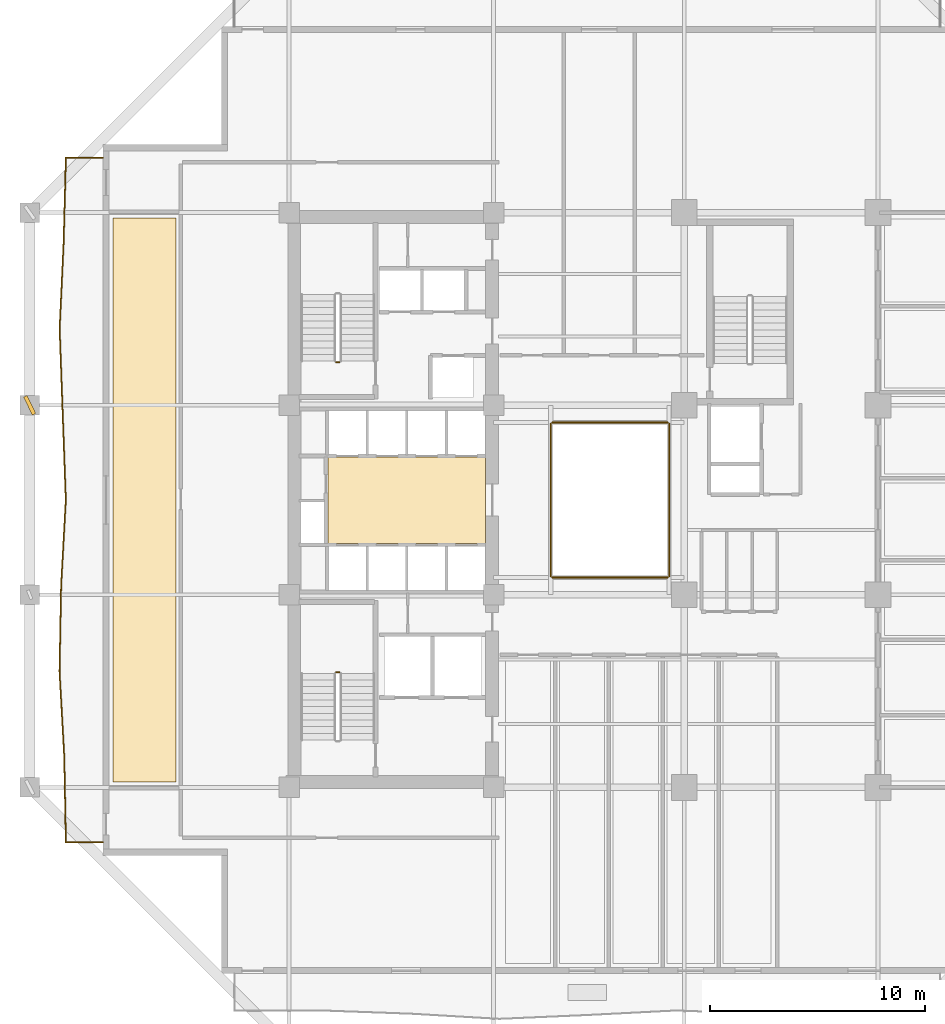
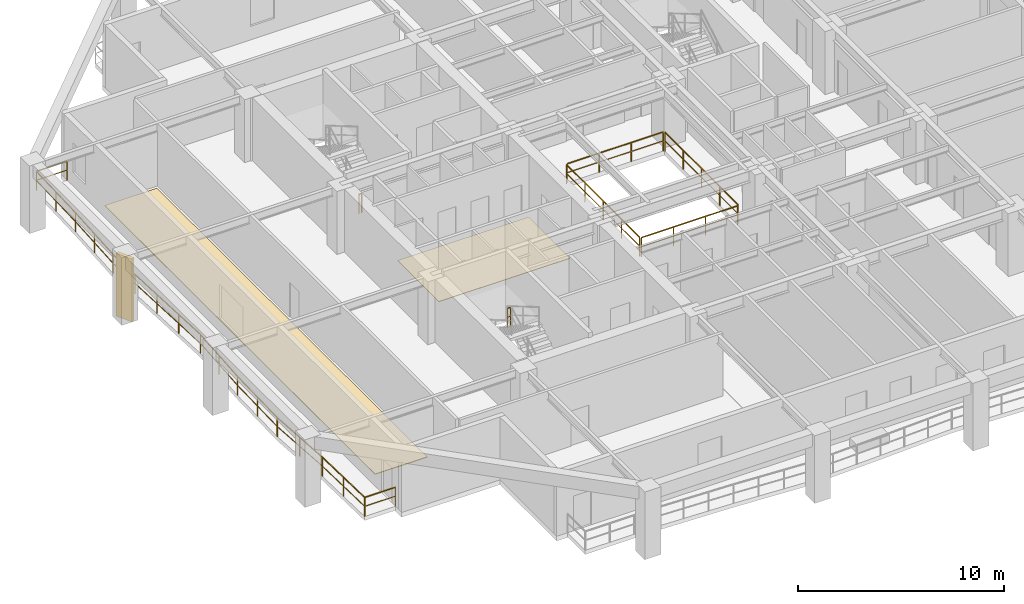
# One storey, part 9 of 13: 7 railings, 2 coverings, 1 shading device.
"""IFC4 building model written with IfcOpenShell, lengths in metres."""

from ifc_helpers import new_model, si_unit, direction, frame, origin, origin_2d, place, context, subcontext, project, spatial, polyline, rectangle, outline, extrude, material, layer, layer_set, type_object, element, save


model = new_model("IFC4")

# Units and contexts
model_context = context("Model", 3, precision=1e-05, world=origin(), true_north=direction((0.0, 1.0)))
body_context = subcontext(model_context, "Body", "Model", "MODEL_VIEW")
ifc_project = project(units=[si_unit("LENGTHUNIT", "METRE"), si_unit("AREAUNIT", "SQUARE_METRE"), si_unit("VOLUMEUNIT", "CUBIC_METRE"), si_unit("PLANEANGLEUNIT", "RADIAN"), si_unit("MASSUNIT", "GRAM", prefix="KILO")], contexts=[model_context])

# Site, building, storey
site_placement = place(None, origin())
site = spatial("IfcSite", under=ifc_project, at=site_placement, CompositionType="ELEMENT")
building_placement = place(site_placement, origin())
building = spatial("IfcBuilding", under=site, at=building_placement, Name="Kundavana Baori Tower", CompositionType="ELEMENT")
storey_placement = place(building_placement, frame((0.0, 0.0, 62.0)))
storey = spatial("IfcBuildingStorey", under=building, at=storey_placement, Name="L14", CompositionType="ELEMENT", Elevation=62.0)

# Coverings
ifc_material_1 = material(Name="Honed Kota Stone and Terrazzo Flooring", Category="masonry")
ifc_layer_1 = layer(ifc_material_1, 0.0400390625, Name="COV-FLR-TERR-40")
ifc_layer_set_1 = layer_set([ifc_layer_1], Name="Honed Kota Stone and Terrazzo Flooring")
covering_type_1 = type_object("IfcCoveringType", Name="COV-FLR-TERR-40", PredefinedType="FLOORING", material=ifc_layer_set_1)
covering_1_placement = place(storey_placement, origin())
element("IfcCovering", 1, at=covering_1_placement, inside=storey, type_object=covering_type_1, Name="L14 Room Finished Stone Flooring 1", PredefinedType="FLOORING", context=body_context, shape_type="SweptSolid", body=[
    extrude(outline(polyline([(7.280029296875, 15.5), (10.199951171875, 15.5), (10.199951171875, 41.699951171875), (7.280029296875, 41.699951171875), (7.280029296875, 15.5)])), origin(), (0.0, 0.0, 1.0), 0.0400390625),
])
ifc_material_2 = material(Name="Honed Kota Stone and Terrazzo Flooring", Category="masonry")
ifc_layer_2 = layer(ifc_material_2, 0.030029296875, Name="COV-INT-FLR")
ifc_layer_set_2 = layer_set([ifc_layer_2], Name="Honed Kota Stone and Terrazzo Flooring")
covering_type_2 = type_object("IfcCoveringType", Name="COV-INT-FLR", PredefinedType="FLOORING", material=ifc_layer_set_2)
covering_2_placement = place(storey_placement, origin())
element("IfcCovering", 2, at=covering_2_placement, inside=storey, type_object=covering_type_2, Name="L14 Core Lift Lobby Kota Stone Flooring", PredefinedType="FLOORING", context=body_context, shape_type="SweptSolid", body=[
    extrude(outline(polyline([(17.25, 26.580078125), (24.580078125, 26.580078125), (24.580078125, 30.60009765625), (17.25, 30.60009765625), (17.25, 26.580078125)])), origin(), (0.0, 0.0, 1.0), 0.030029296875),
])

# Railings
ifc_material_3 = material(Name="Architectural Patinated Bronze Metalwork")
railing_type_1 = type_object("IfcRailingType", Name="RL-BAL-1150", PredefinedType="BALUSTRADE", material=ifc_material_3)
railing_1_placement = place(storey_placement, frame((6.800048828125, 12.699951171875, 0.0)))
element("IfcRailing", 3, at=railing_1_placement, inside=storey, type_object=railing_type_1, Name="L14 Loggia Balcony Balustrade W", PredefinedType="BALUSTRADE", context=body_context, shape_type="SweptSolid", body=[
    extrude(rectangle(XDim=0.048095703125, YDim=0.048095703125, at=origin_2d()), frame((0.0, 0.0, 1.1259765625), z_axis=(-1.0, 0.0, 0.0), x_axis=(0.0, -1.0, 0.0)), (0.0, 0.0, 1.0), 1.719970703125),
    extrude(rectangle(XDim=0.03125, YDim=0.03125, at=origin_2d()), frame((0.0, 0.0, 0.597900390625), z_axis=(-1.0, 0.0, 0.0), x_axis=(0.0, -1.0, 0.0)), (0.0, 0.0, 1.0), 1.719970703125),
    extrude(rectangle(XDim=0.048095703125, YDim=0.048095703125, at=origin_2d()), frame((-1.719970703125, 0.0, 1.1259765625), z_axis=(-0.019404281002, 0.999811719215, 0.0), x_axis=(-0.999811719215, -0.019404281002, 0.0)), (0.0, 0.0, 1.0), 3.975830078125),
    extrude(rectangle(XDim=0.03125, YDim=0.03125, at=origin_2d()), frame((-1.719970703125, 0.0, 0.597900390625), z_axis=(-0.019404281002, 0.999811719215, 0.0), x_axis=(-0.999811719215, -0.019404281002, 0.0)), (0.0, 0.0, 1.0), 3.975830078125),
    extrude(rectangle(XDim=0.048095703125, YDim=0.048095703125, at=origin_2d()), frame((-1.797119140625, 3.97509765625, 1.1259765625), z_axis=(-0.055011466943, 0.998485722735, 0.0), x_axis=(-0.998485722735, -0.055011466943, 0.0)), (0.0, 0.0, 1.0), 3.98095703125),
    extrude(rectangle(XDim=0.03125, YDim=0.03125, at=origin_2d()), frame((-1.797119140625, 3.97509765625, 0.597900390625), z_axis=(-0.055011466943, 0.998485722735, 0.0), x_axis=(-0.998485722735, -0.055011466943, 0.0)), (0.0, 0.0, 1.0), 3.98095703125),
    extrude(rectangle(XDim=0.048095703125, YDim=0.048095703125, at=origin_2d()), frame((-2.01611328125, 7.949951171875, 1.1259765625), z_axis=(0.018606285904, 0.999826888079, 0.0), x_axis=(-0.999826888079, 0.018606285904, 0.0)), (0.0, 0.0, 1.0), 3.975830078125),
    extrude(rectangle(XDim=0.03125, YDim=0.03125, at=origin_2d()), frame((-2.01611328125, 7.949951171875, 0.597900390625), z_axis=(0.018606285904, 0.999826888079, 0.0), x_axis=(-0.999826888079, 0.018606285904, 0.0)), (0.0, 0.0, 1.0), 3.975830078125),
    extrude(rectangle(XDim=0.048095703125, YDim=0.048095703125, at=origin_2d()), frame((-1.942138671875, 11.925048828125, 1.1259765625), z_axis=(0.054763537703, 0.998499351496, 0.0), x_axis=(-0.998499351496, 0.054763537703, 0.0)), (0.0, 0.0, 1.0), 3.98095703125),
    extrude(rectangle(XDim=0.03125, YDim=0.03125, at=origin_2d()), frame((-1.942138671875, 11.925048828125, 0.597900390625), z_axis=(0.054763537703, 0.998499351496, 0.0), x_axis=(-0.998499351496, 0.054763537703, 0.0)), (0.0, 0.0, 1.0), 3.98095703125),
    extrude(rectangle(XDim=0.048095703125, YDim=0.048095703125, at=origin_2d()), frame((-1.72412109375, 15.900146484375, 1.1259765625), z_axis=(-0.036214788854, 0.999344029385, 0.0), x_axis=(-0.999344029385, -0.036214788854, 0.0)), (0.0, 0.0, 1.0), 3.9775390625),
    extrude(rectangle(XDim=0.03125, YDim=0.03125, at=origin_2d()), frame((-1.72412109375, 15.900146484375, 0.597900390625), z_axis=(-0.036214788854, 0.999344029385, 0.0), x_axis=(-0.999344029385, -0.036214788854, 0.0)), (0.0, 0.0, 1.0), 3.9775390625),
    extrude(rectangle(XDim=0.048095703125, YDim=0.048095703125, at=origin_2d()), frame((-1.8681640625, 19.875, 1.1259765625), z_axis=(-0.035906078724, 0.999355168852, 0.0), x_axis=(-0.999355168852, -0.035906078724, 0.0)), (0.0, 0.0, 1.0), 3.977783203125),
    extrude(rectangle(XDim=0.03125, YDim=0.03125, at=origin_2d()), frame((-1.8681640625, 19.875, 0.597900390625), z_axis=(-0.035906078724, 0.999355168852, 0.0), x_axis=(-0.999355168852, -0.035906078724, 0.0)), (0.0, 0.0, 1.0), 3.977783203125),
    extrude(rectangle(XDim=0.048095703125, YDim=0.048095703125, at=origin_2d()), frame((-2.010986328125, 23.85009765625, 1.1259765625), z_axis=(0.046200842989, 0.998932170924, 0.0), x_axis=(-0.998932170924, 0.046200842989, 0.0)), (0.0, 0.0, 1.0), 3.97900390625),
    extrude(rectangle(XDim=0.03125, YDim=0.03125, at=origin_2d()), frame((-2.010986328125, 23.85009765625, 0.597900390625), z_axis=(0.046200842989, 0.998932170924, 0.0), x_axis=(-0.998932170924, 0.046200842989, 0.0)), (0.0, 0.0, 1.0), 3.97900390625),
    extrude(rectangle(XDim=0.048095703125, YDim=0.048095703125, at=origin_2d()), frame((-1.8271484375, 27.824951171875, 1.1259765625), z_axis=(0.026952494664, 0.999636715528, 0.0), x_axis=(-0.999636715528, 0.026952494664, 0.0)), (0.0, 0.0, 1.0), 3.9765625),
    extrude(rectangle(XDim=0.03125, YDim=0.03125, at=origin_2d()), frame((-1.8271484375, 27.824951171875, 0.597900390625), z_axis=(0.026952494664, 0.999636715528, 0.0), x_axis=(-0.999636715528, 0.026952494664, 0.0)), (0.0, 0.0, 1.0), 3.9765625),
    extrude(rectangle(XDim=0.048095703125, YDim=0.048095703125, at=origin_2d()), frame((-1.719970703125, 31.800048828125, 1.1259765625), z_axis=(1.0, 0.0, 0.0), x_axis=(0.0, 1.0, 0.0)), (0.0, 0.0, 1.0), 1.719970703125),
    extrude(rectangle(XDim=0.03125, YDim=0.03125, at=origin_2d()), frame((-1.719970703125, 31.800048828125, 0.597900390625), z_axis=(1.0, 0.0, 0.0), x_axis=(0.0, 1.0, 0.0)), (0.0, 0.0, 1.0), 1.719970703125),
    extrude(rectangle(XDim=0.0419921875, YDim=0.0419921875, at=origin_2d()), origin(), (0.0, 0.0, 1.0), 1.101806640625),
    extrude(rectangle(XDim=0.0419921875, YDim=0.0419921875, at=origin_2d()), frame((-1.719970703125, 0.0, 0.0)), (0.0, 0.0, 1.0), 1.101806640625),
    extrude(rectangle(XDim=0.0419921875, YDim=0.0419921875, at=origin_2d()), frame((-1.758544921875, 1.987548828125, 0.0)), (0.0, 0.0, 1.0), 1.101806640625),
    extrude(rectangle(XDim=0.0419921875, YDim=0.0419921875, at=origin_2d()), frame((-1.797119140625, 3.97509765625, 0.0)), (0.0, 0.0, 1.0), 1.101806640625),
    extrude(rectangle(XDim=0.0419921875, YDim=0.0419921875, at=origin_2d()), frame((-1.90673828125, 5.96240234375, 0.0)), (0.0, 0.0, 1.0), 1.101806640625),
    extrude(rectangle(XDim=0.0419921875, YDim=0.0419921875, at=origin_2d()), frame((-2.01611328125, 7.949951171875, 0.0)), (0.0, 0.0, 1.0), 1.101806640625),
    extrude(rectangle(XDim=0.0419921875, YDim=0.0419921875, at=origin_2d()), frame((-1.97900390625, 9.9375, 0.0)), (0.0, 0.0, 1.0), 1.101806640625),
    extrude(rectangle(XDim=0.0419921875, YDim=0.0419921875, at=origin_2d()), frame((-1.942138671875, 11.925048828125, 0.0)), (0.0, 0.0, 1.0), 1.101806640625),
    extrude(rectangle(XDim=0.0419921875, YDim=0.0419921875, at=origin_2d()), frame((-1.8330078125, 13.91259765625, 0.0)), (0.0, 0.0, 1.0), 1.101806640625),
    extrude(rectangle(XDim=0.0419921875, YDim=0.0419921875, at=origin_2d()), frame((-1.72412109375, 15.900146484375, 0.0)), (0.0, 0.0, 1.0), 1.101806640625),
    extrude(rectangle(XDim=0.0419921875, YDim=0.0419921875, at=origin_2d()), frame((-1.796142578125, 17.8876953125, 0.0)), (0.0, 0.0, 1.0), 1.101806640625),
    extrude(rectangle(XDim=0.0419921875, YDim=0.0419921875, at=origin_2d()), frame((-1.8681640625, 19.875, 0.0)), (0.0, 0.0, 1.0), 1.101806640625),
    extrude(rectangle(XDim=0.0419921875, YDim=0.0419921875, at=origin_2d()), frame((-1.939453125, 21.862548828125, 0.0)), (0.0, 0.0, 1.0), 1.101806640625),
    extrude(rectangle(XDim=0.0419921875, YDim=0.0419921875, at=origin_2d()), frame((-2.010986328125, 23.85009765625, 0.0)), (0.0, 0.0, 1.0), 1.101806640625),
    extrude(rectangle(XDim=0.0419921875, YDim=0.0419921875, at=origin_2d()), frame((-1.9189453125, 25.83740234375, 0.0)), (0.0, 0.0, 1.0), 1.101806640625),
    extrude(rectangle(XDim=0.0419921875, YDim=0.0419921875, at=origin_2d()), frame((-1.8271484375, 27.824951171875, 0.0)), (0.0, 0.0, 1.0), 1.101806640625),
    extrude(rectangle(XDim=0.0419921875, YDim=0.0419921875, at=origin_2d()), frame((-1.7734375, 29.8125, 0.0)), (0.0, 0.0, 1.0), 1.101806640625),
    extrude(rectangle(XDim=0.0419921875, YDim=0.0419921875, at=origin_2d()), frame((-1.719970703125, 31.800048828125, 0.0)), (0.0, 0.0, 1.0), 1.101806640625),
    extrude(rectangle(XDim=0.0419921875, YDim=0.0419921875, at=origin_2d()), frame((0.0, 31.800048828125, 0.0)), (0.0, 0.0, 1.0), 1.101806640625),
])
ifc_material_4 = material(Name="Architectural Patinated Bronze Metalwork")
railing_type_2 = type_object("IfcRailingType", Name="RL-GRD-1150", PredefinedType="GUARDRAIL", material=ifc_material_4)
for number, where, name in (
    (4, (17.7900390625, 20.60009765625, 2.0), "L14 ST1 stair guard 2"),
    (5, (17.7900390625, 35.0, 0.0), "L14 ST2 stair guard 4"),
):
    element("IfcRailing", number, at=place(storey_placement, frame(where)), inside=storey, type_object=railing_type_2, Name=name, PredefinedType="GUARDRAIL", context=body_context, shape_type="SweptSolid", body=[
        extrude(rectangle(XDim=0.048095703125, YDim=0.048095703125, at=origin_2d()), frame((0.0, 0.0, 1.1259765625), z_axis=(-1.0, 0.0, 0.0), x_axis=(0.0, -1.0, 0.0)), (0.0, 0.0, 1.0), 0.16015625),
        extrude(rectangle(XDim=0.03125, YDim=0.03125, at=origin_2d()), frame((0.0, 0.0, 0.597900390625), z_axis=(-1.0, 0.0, 0.0), x_axis=(0.0, -1.0, 0.0)), (0.0, 0.0, 1.0), 0.16015625),
        extrude(rectangle(XDim=0.0419921875, YDim=0.0419921875, at=origin_2d()), origin(), (0.0, 0.0, 1.0), 1.101806640625),
        extrude(rectangle(XDim=0.0419921875, YDim=0.0419921875, at=origin_2d()), frame((-0.16015625, 0.0, 0.0)), (0.0, 0.0, 1.0), 1.101806640625),
    ])
railing_2_placement = place(storey_placement, frame((27.659912109375, 25.0, 0.0)))
element("IfcRailing", 6, at=railing_2_placement, inside=storey, type_object=railing_type_2, Name="L14 Atrium Void Perimeter Guardrail S", PredefinedType="GUARDRAIL", context=body_context, shape_type="SweptSolid", body=[
    extrude(rectangle(XDim=0.048095703125, YDim=0.048095703125, at=origin_2d()), frame((0.0, 0.0, 1.1259765625), z_axis=(1.0, 0.0, 0.0), x_axis=(0.0, 1.0, 0.0)), (0.0, 0.0, 1.0), 5.380126953125),
    extrude(rectangle(XDim=0.03125, YDim=0.03125, at=origin_2d()), frame((0.0, 0.0, 0.597900390625), z_axis=(1.0, 0.0, 0.0), x_axis=(0.0, 1.0, 0.0)), (0.0, 0.0, 1.0), 5.380126953125),
    extrude(rectangle(XDim=0.0419921875, YDim=0.0419921875, at=origin_2d()), origin(), (0.0, 0.0, 1.0), 1.101806640625),
    extrude(rectangle(XDim=0.0419921875, YDim=0.0419921875, at=origin_2d()), frame((1.79345703125, 0.0, 0.0)), (0.0, 0.0, 1.0), 1.101806640625),
    extrude(rectangle(XDim=0.0419921875, YDim=0.0419921875, at=origin_2d()), frame((3.586669921875, 0.0, 0.0)), (0.0, 0.0, 1.0), 1.101806640625),
    extrude(rectangle(XDim=0.0419921875, YDim=0.0419921875, at=origin_2d()), frame((5.380126953125, 0.0, 0.0)), (0.0, 0.0, 1.0), 1.101806640625),
])
railing_3_placement = place(storey_placement, frame((33.10009765625, 25.06005859375, 0.0)))
element("IfcRailing", 7, at=railing_3_placement, inside=storey, type_object=railing_type_2, Name="L14 Atrium Void Perimeter Guardrail E", PredefinedType="GUARDRAIL", context=body_context, shape_type="SweptSolid", body=[
    extrude(rectangle(XDim=0.048095703125, YDim=0.048095703125, at=origin_2d()), frame((0.0, 0.0, 1.1259765625), z_axis=(0.0, 1.0, 0.0), x_axis=(-1.0, 0.0, 0.0)), (0.0, 0.0, 1.0), 7.079833984375),
    extrude(rectangle(XDim=0.03125, YDim=0.03125, at=origin_2d()), frame((0.0, 0.0, 0.597900390625), z_axis=(0.0, 1.0, 0.0), x_axis=(-1.0, 0.0, 0.0)), (0.0, 0.0, 1.0), 7.079833984375),
    extrude(rectangle(XDim=0.0419921875, YDim=0.0419921875, at=origin_2d()), origin(), (0.0, 0.0, 1.0), 1.101806640625),
    extrude(rectangle(XDim=0.0419921875, YDim=0.0419921875, at=origin_2d()), frame((0.0, 1.77001953125, 0.0)), (0.0, 0.0, 1.0), 1.101806640625),
    extrude(rectangle(XDim=0.0419921875, YDim=0.0419921875, at=origin_2d()), frame((0.0, 3.5400390625, 0.0)), (0.0, 0.0, 1.0), 1.101806640625),
    extrude(rectangle(XDim=0.0419921875, YDim=0.0419921875, at=origin_2d()), frame((0.0, 5.309814453125, 0.0)), (0.0, 0.0, 1.0), 1.101806640625),
    extrude(rectangle(XDim=0.0419921875, YDim=0.0419921875, at=origin_2d()), frame((0.0, 7.079833984375, 0.0)), (0.0, 0.0, 1.0), 1.101806640625),
])
railing_4_placement = place(storey_placement, frame((33.0400390625, 32.199951171875, 0.0)))
element("IfcRailing", 8, at=railing_4_placement, inside=storey, type_object=railing_type_2, Name="L14 Atrium Void Perimeter Guardrail N", PredefinedType="GUARDRAIL", context=body_context, shape_type="SweptSolid", body=[
    extrude(rectangle(XDim=0.048095703125, YDim=0.048095703125, at=origin_2d()), frame((0.0, 0.0, 1.1259765625), z_axis=(-1.0, 0.0, 0.0), x_axis=(0.0, -1.0, 0.0)), (0.0, 0.0, 1.0), 5.380126953125),
    extrude(rectangle(XDim=0.03125, YDim=0.03125, at=origin_2d()), frame((0.0, 0.0, 0.597900390625), z_axis=(-1.0, 0.0, 0.0), x_axis=(0.0, -1.0, 0.0)), (0.0, 0.0, 1.0), 5.380126953125),
    extrude(rectangle(XDim=0.0419921875, YDim=0.0419921875, at=origin_2d()), origin(), (0.0, 0.0, 1.0), 1.101806640625),
    extrude(rectangle(XDim=0.0419921875, YDim=0.0419921875, at=origin_2d()), frame((-1.79345703125, 0.0, 0.0)), (0.0, 0.0, 1.0), 1.101806640625),
    extrude(rectangle(XDim=0.0419921875, YDim=0.0419921875, at=origin_2d()), frame((-3.586669921875, 0.0, 0.0)), (0.0, 0.0, 1.0), 1.101806640625),
    extrude(rectangle(XDim=0.0419921875, YDim=0.0419921875, at=origin_2d()), frame((-5.380126953125, 0.0, 0.0)), (0.0, 0.0, 1.0), 1.101806640625),
])
railing_5_placement = place(storey_placement, frame((27.60009765625, 32.139892578125, 0.0)))
element("IfcRailing", 9, at=railing_5_placement, inside=storey, type_object=railing_type_2, Name="L14 Atrium Void Perimeter Guardrail W", PredefinedType="GUARDRAIL", context=body_context, shape_type="SweptSolid", body=[
    extrude(rectangle(XDim=0.048095703125, YDim=0.048095703125, at=origin_2d()), frame((0.0, 0.0, 1.1259765625), z_axis=(0.0, -1.0, 0.0), x_axis=(1.0, 0.0, 0.0)), (0.0, 0.0, 1.0), 7.079833984375),
    extrude(rectangle(XDim=0.03125, YDim=0.03125, at=origin_2d()), frame((0.0, 0.0, 0.597900390625), z_axis=(0.0, -1.0, 0.0), x_axis=(1.0, 0.0, 0.0)), (0.0, 0.0, 1.0), 7.079833984375),
    extrude(rectangle(XDim=0.0419921875, YDim=0.0419921875, at=origin_2d()), origin(), (0.0, 0.0, 1.0), 1.101806640625),
    extrude(rectangle(XDim=0.0419921875, YDim=0.0419921875, at=origin_2d()), frame((0.0, -1.77001953125, 0.0)), (0.0, 0.0, 1.0), 1.101806640625),
    extrude(rectangle(XDim=0.0419921875, YDim=0.0419921875, at=origin_2d()), frame((0.0, -3.5400390625, 0.0)), (0.0, 0.0, 1.0), 1.101806640625),
    extrude(rectangle(XDim=0.0419921875, YDim=0.0419921875, at=origin_2d()), frame((0.0, -5.309814453125, 0.0)), (0.0, 0.0, 1.0), 1.101806640625),
    extrude(rectangle(XDim=0.0419921875, YDim=0.0419921875, at=origin_2d()), frame((0.0, -7.079833984375, 0.0)), (0.0, 0.0, 1.0), 1.101806640625),
])

# Shading device
ifc_material_5 = material(Name="Red-Buff Dholpur Sandstone Cladding on Concrete C40/50", Category="masonry")
shading_device_type = type_object("IfcShadingDeviceType", Name="SHD-FIN-920", PredefinedType="JALOUSIE", material=ifc_material_5)
shading_device_placement = place(storey_placement, frame((3.39990234375, 33.0, 0.0), z_axis=(0.0, 0.0, 1.0), x_axis=(0.900166792241, 0.435545343388, 0.0)))
element("IfcShadingDevice", 10, at=shading_device_placement, inside=storey, type_object=shading_device_type, Name="L14 Sweeping Dholpur Sandstone Facade Fin 7", PredefinedType="JALOUSIE", context=body_context, shape_type="SweptSolid", body=[
    extrude(rectangle(XDim=0.179931640625, YDim=0.919921875, at=origin_2d()), origin(), (0.0, 0.0, 1.0), 3.719970703125),
])

save(model, "model.ifc")
